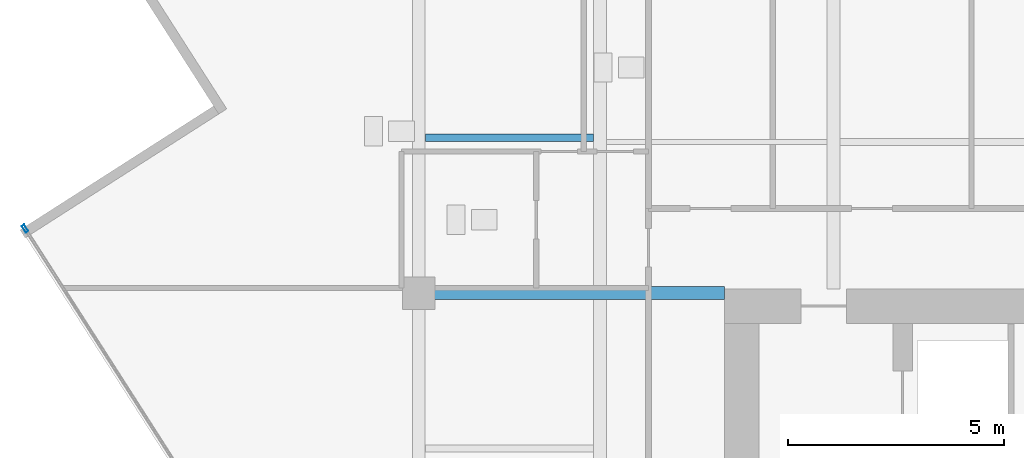
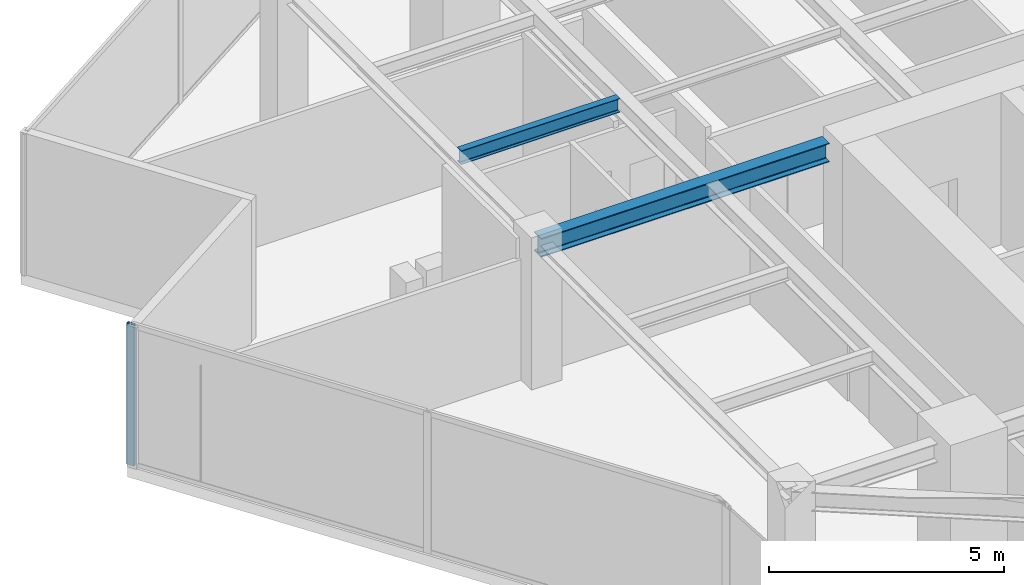
# One storey, part 6 of 20: 2 beams, 1 member, 1 element without a shape of its own.
"""IFC4 building model written with IfcOpenShell, lengths in metres."""

import ifcopenshell
import ifcopenshell.guid

model = None  # the IFC model being written
_history = None  # IfcOwnerHistory: only IFC2X3 demands one
_inside = {}  # id of a spatial element -> (the spatial element, [elements in it])
_under = {}  # id of a project, library or spatial element -> (it, [spatial elements below it])
_declared = {}  # id of a project -> (the project, [libraries it declares])
_typed = {}  # id of a type object -> (the type object, [elements of that type])
_made_of = {}  # id of a material, layer set ... -> (it, [elements and type objects made of it])


def new_model(schema):
    """Start an empty IFC model of exactly this schema.

    Asked for "IFC4X3", IfcOpenShell would pick the latest addendum, in which some entities
    have other attributes; the version numbers below select the first issue.
    IFC2X3 requires an IfcOwnerHistory on every rooted entity: one is made here for all.
    """
    global model, _history
    if schema == "IFC4X3":
        model = ifcopenshell.file(schema_version=(4, 3, 0, 0))
    else:
        model = ifcopenshell.file(schema=schema)
    _inside.clear()
    _under.clear()
    _declared.clear()
    _typed.clear()
    _made_of.clear()
    _history = None
    if model.schema == "IFC2X3":
        org = make("IfcOrganization", Name="unknown")
        user = make(
            "IfcPersonAndOrganization",
            ThePerson=make("IfcPerson", FamilyName="unknown"),
            TheOrganization=org,
        )
        app = make(
            "IfcApplication",
            ApplicationDeveloper=org,
            Version="unknown",
            ApplicationFullName="unknown",
            ApplicationIdentifier="unknown",
        )
        _history = make(
            "IfcOwnerHistory",
            OwningUser=user,
            OwningApplication=app,
            ChangeAction="ADDED",
            CreationDate=0,
        )
    return model


def make(cls, **values):
    """One entity of the class cls with the attributes given. An attribute that is None is left unset."""
    return model.create_entity(
        cls, **{name: value for name, value in values.items() if value is not None}
    )


def rooted(cls, **values):
    """An entity with a GlobalId (a new one), such as an element, a storey or a relation."""
    return make(cls, GlobalId=ifcopenshell.guid.new(), OwnerHistory=_history, **values)


def si_unit(unit_type, name, prefix=None):
    """IfcSIUnit, for example si_unit("LENGTHUNIT", "METRE", prefix="MILLI")."""
    return make("IfcSIUnit", UnitType=unit_type, Prefix=prefix, Name=name)


def assignment(units):
    """IfcUnitAssignment: the units of a project."""
    return None if units is None else make("IfcUnitAssignment", Units=units)


def point(xyz):
    """IfcCartesianPoint."""
    return None if xyz is None else make("IfcCartesianPoint", Coordinates=xyz)


def direction(xyz):
    """IfcDirection."""
    return None if xyz is None else make("IfcDirection", DirectionRatios=xyz)


def frame(location, z_axis=None, x_axis=None):
    """IfcAxis2Placement3D, a coordinate frame: its origin and axes. An axis left out is left unset."""
    return make(
        "IfcAxis2Placement3D",
        Location=point(location),
        Axis=direction(z_axis),
        RefDirection=direction(x_axis),
    )


def frame_2d(location, x_axis=None):
    """IfcAxis2Placement2D, a coordinate frame in the plane: its origin and x axis."""
    return make(
        "IfcAxis2Placement2D", Location=point(location), RefDirection=direction(x_axis)
    )


def origin():
    """The frame at (0, 0, 0) with its axes left unset."""
    return frame((0.0, 0.0, 0.0))


def origin_2d():
    """The frame at (0, 0) in the plane with its x axis left unset."""
    return frame_2d((0.0, 0.0))


def place(relative_to, where):
    """IfcLocalPlacement: puts the frame where relative to a parent placement (None: the world)."""
    return make(
        "IfcLocalPlacement", PlacementRelTo=relative_to, RelativePlacement=where
    )


def context(
    kind, dimensions, precision=None, world=None, true_north=None, identifier=None
):
    """IfcGeometricRepresentationContext, for example the 3D "Model" context."""
    return make(
        "IfcGeometricRepresentationContext",
        ContextIdentifier=identifier,
        ContextType=kind,
        CoordinateSpaceDimension=dimensions,
        Precision=precision,
        WorldCoordinateSystem=world,
        TrueNorth=true_north,
    )


def subcontext(parent, identifier, kind, view, scale=None):
    """IfcGeometricRepresentationSubContext, for example "Body" below "Model"."""
    return make(
        "IfcGeometricRepresentationSubContext",
        ContextIdentifier=identifier,
        ContextType=kind,
        ParentContext=parent,
        TargetScale=scale,
        TargetView=view,
    )


def project(units=None, contexts=None):
    """IfcProject with its units and contexts."""
    return rooted(
        "IfcProject",
        Name="project",
        RepresentationContexts=contexts,
        UnitsInContext=assignment(units),
    )


def spatial(cls, under=None, at=None, **own):
    """A site, building, storey or space (cls), placed at a placement, below another one or the project."""
    s = rooted(cls, ObjectPlacement=at, **own)
    if under is not None:
        _under.setdefault(under.id(), (under, []))[1].append(s)
    return s


def profile(cls, at=None, kind="AREA", **sizes):
    """A parametric profile (cls). Its sizes go by their IFC names, for example OverallWidth=200.0."""
    return make(cls, ProfileType=kind, Position=at, **sizes)


def hollow_rectangle(**sizes):
    """IfcRectangleHollowProfileDef."""
    return profile("IfcRectangleHollowProfileDef", **sizes)


def i_section(**sizes):
    """IfcIShapeProfileDef."""
    return profile("IfcIShapeProfileDef", **sizes)


def extrude(swept, where, along, depth):
    """IfcExtrudedAreaSolid: the profile swept, set in the frame where, extruded along a direction by depth."""
    return make(
        "IfcExtrudedAreaSolid",
        SweptArea=swept,
        Position=where,
        ExtrudedDirection=direction(along),
        Depth=depth,
    )


def shape(context_of_items, identifier, shape_type, items):
    """IfcShapeRepresentation: the items that make up one representation, for example the "Body"."""
    return make(
        "IfcShapeRepresentation",
        ContextOfItems=context_of_items,
        RepresentationIdentifier=identifier,
        RepresentationType=shape_type,
        Items=items,
    )


def source(mapping_origin, context_of_items, identifier, shape_type, items):
    """IfcRepresentationMap: a shape defined once, which mapped items show again and again."""
    return make(
        "IfcRepresentationMap",
        MappingOrigin=mapping_origin,
        MappedRepresentation=shape(context_of_items, identifier, shape_type, items),
    )


def transform(
    local_origin,
    x_axis=None,
    y_axis=None,
    z_axis=None,
    scale=None,
    scale2=None,
    scale3=None,
    uniform=True,
):
    """IfcCartesianTransformationOperator3D, or its non-uniform kind. x_axis, y_axis, z_axis: its Axis1, 2, 3."""
    if uniform:
        return make(
            "IfcCartesianTransformationOperator3D",
            Axis1=direction(x_axis),
            Axis2=direction(y_axis),
            LocalOrigin=point(local_origin),
            Scale=scale,
            Axis3=direction(z_axis),
        )
    return make(
        "IfcCartesianTransformationOperator3DnonUniform",
        Axis1=direction(x_axis),
        Axis2=direction(y_axis),
        LocalOrigin=point(local_origin),
        Scale=scale,
        Axis3=direction(z_axis),
        Scale2=scale2,
        Scale3=scale3,
    )


def mapped(mapping_source, mapping_target):
    """IfcMappedItem: shows the shape of a source again, moved by a transform."""
    return make(
        "IfcMappedItem", MappingSource=mapping_source, MappingTarget=mapping_target
    )


def material(Name=None, Category=None):
    """IfcMaterial."""
    return make("IfcMaterial", Name=Name, Category=Category)


def material_profile(
    of_material, cross_section, Name=None, Category=None, Priority=None
):
    """IfcMaterialProfile: a cross section and its material."""
    return make(
        "IfcMaterialProfile",
        Name=Name,
        Material=of_material,
        Profile=cross_section,
        Priority=Priority,
        Category=Category,
    )


def profile_set(profiles, Name=None, composite=None):
    """IfcMaterialProfileSet."""
    return make(
        "IfcMaterialProfileSet",
        Name=Name,
        MaterialProfiles=profiles,
        CompositeProfile=composite,
    )


def made_of(thing, what):
    """Note that an element or type object is made of a material, layer set ...; save() writes the relation."""
    if what is not None:
        _made_of.setdefault(what.id(), (what, []))[1].append(thing)
    return thing


def type_object(cls, material=None, **own):
    """A type object (cls), such as IfcWallType, which elements share."""
    return made_of(rooted(cls, **own), material)


def type_shapes(of_type, sources):
    """Give a type object the sources (RepresentationMaps) that its elements show as mapped items."""
    of_type.RepresentationMaps = sources


def element(
    cls,
    number,
    at=None,
    inside=None,
    cuts=None,
    type_object=None,
    material=None,
    context=None,
    identifier="Body",
    shape_type=None,
    held_by="IfcProductDefinitionShape",
    body=None,
    shapes=None,
    **own,
):
    """One element of the class cls, such as IfcWall. Its Tag is "e" and its number.

    at: its placement. inside: the storey or other place that contains it. cuts: it is an
    opening in that element (IfcRelVoidsElement). A single representation is given by context,
    identifier, shape_type and body (its items); several are given by shapes. held_by: the class
    of the entity that holds the representations. save() writes the other relations.
    """
    e = rooted(cls, Tag="e%d" % number, ObjectPlacement=at, **own)
    if body is not None:
        shapes = [shape(context, identifier, shape_type, body)]
    if shapes is not None:
        e.Representation = make(held_by, Representations=shapes)
    if inside is not None:
        _inside.setdefault(inside.id(), (inside, []))[1].append(e)
    if cuts is not None:
        rooted(
            "IfcRelVoidsElement", RelatingBuildingElement=cuts, RelatedOpeningElement=e
        )
    if type_object is not None:
        _typed.setdefault(type_object.id(), (type_object, []))[1].append(e)
    return made_of(e, material)


def aggregate(whole, parts):
    """IfcRelAggregates: a whole, such as a stair, and the parts it consists of."""
    return rooted("IfcRelAggregates", RelatingObject=whole, RelatedObjects=parts)


def save(model, path):
    """Write the relations noted so far, then the file.

    IfcRelAggregates (storeys below a building ...), IfcRelContainedInSpatialStructure (elements
    in a storey), IfcRelDefinesByType, IfcRelAssociatesMaterial and IfcRelDeclares: one each for
    every whole, place, type object, material and project.
    """
    for whole, parts in _under.values():
        aggregate(whole, parts)
    for where, things in _inside.values():
        rooted(
            "IfcRelContainedInSpatialStructure",
            RelatedElements=things,
            RelatingStructure=where,
        )
    for kind, things in _typed.values():
        rooted("IfcRelDefinesByType", RelatedObjects=things, RelatingType=kind)
    for what, things in _made_of.values():
        rooted("IfcRelAssociatesMaterial", RelatedObjects=things, RelatingMaterial=what)
    for by, libraries in _declared.values():
        rooted("IfcRelDeclares", RelatingContext=by, RelatedDefinitions=libraries)
    model.write(path)


model = new_model("IFC4")

# Units and contexts
model_context = context("Model", 3, precision=1e-05, world=origin(), true_north=direction((0.0, 1.0)))
body_context = subcontext(model_context, "Body", "Model", "MODEL_VIEW")
ifc_project = project(units=[si_unit("LENGTHUNIT", "METRE"), si_unit("AREAUNIT", "SQUARE_METRE"), si_unit("VOLUMEUNIT", "CUBIC_METRE"), si_unit("PLANEANGLEUNIT", "RADIAN"), si_unit("MASSUNIT", "GRAM", prefix="KILO")], contexts=[model_context])

# Site, building, storey
site_placement = place(None, origin())
site = spatial("IfcSite", under=ifc_project, at=site_placement, CompositionType="ELEMENT")
building_placement = place(site_placement, origin())
building = spatial("IfcBuilding", under=site, at=building_placement, Name="Krantzveldt Concourse Tower", CompositionType="ELEMENT")
storey_placement = place(building_placement, frame((0.0, 0.0, 283.199951171875)))
storey = spatial("IfcBuildingStorey", under=building, at=storey_placement, Name="L69", CompositionType="ELEMENT", Elevation=283.199951171875)

# Beams
ifc_material_1 = material(Name="Steel S355JR", Category="steel")
ifc_material_profile_1 = material_profile(ifc_material_1, i_section(OverallWidth=0.300048828125, OverallDepth=0.489990234375, WebThickness=0.011962890625, FlangeThickness=0.02294921875, FilletRadius=0.027099609375, at=origin_2d()), Name="Steel S355JR", Category="steel")
ifc_profile_set_1 = profile_set([ifc_material_profile_1], Name="Steel S355JR - HEA 500")
beam_type_1 = type_object("IfcBeamType", Name="BM-B-HEA500", PredefinedType="BEAM", material=ifc_profile_set_1)
shared_shape_1 = source(origin(), body_context, "Body", "SweptSolid", [
    extrude(i_section(OverallWidth=0.300048828125, OverallDepth=0.489990234375, WebThickness=0.011962890625, FlangeThickness=0.02294921875, FilletRadius=0.027099609375, at=origin_2d()), origin(), (0.0, 0.0, 1.0), 7.080078125),
])
type_shapes(beam_type_1, [shared_shape_1])
beam_1_placement = place(storey_placement, frame((21.0, 26.699951171875, 3.425048828125), z_axis=(1.0, 0.0, 0.0), x_axis=(0.0, 1.0, 0.0)))
element("IfcBeam", 1, at=beam_1_placement, inside=storey, type_object=beam_type_1, Name="L69 Tower Girder BG-CW2", PredefinedType="BEAM", context=body_context, shape_type="MappedRepresentation", body=[
    mapped(shared_shape_1, transform((0.0, 0.0, 0.0), x_axis=(1.0, 0.0, 0.0), y_axis=(0.0, 1.0, 0.0), z_axis=(0.0, 0.0, 1.0), scale=1.0)),
])
ifc_material_profile_2 = material_profile(ifc_material_1, i_section(OverallWidth=0.169921875, OverallDepth=0.360107421875, WebThickness=0.008056640625, FlangeThickness=0.0126953125, FilletRadius=0.01806640625, at=origin_2d()), Name="Steel S355JR", Category="steel")
ifc_profile_set_2 = profile_set([ifc_material_profile_2], Name="Steel S355JR - IPE 360")
beam_type_2 = type_object("IfcBeamType", Name="BM-J-IPE360", PredefinedType="JOIST", material=ifc_profile_set_2)
shared_shape_2 = source(origin(), body_context, "Body", "SweptSolid", [
    extrude(i_section(OverallWidth=0.169921875, OverallDepth=0.360107421875, WebThickness=0.008056640625, FlangeThickness=0.0126953125, FilletRadius=0.01806640625, at=origin_2d()), origin(), (0.0, 0.0, 1.0), 3.900146484375),
])
type_shapes(beam_type_2, [shared_shape_2])
beam_2_placement = place(storey_placement, frame((21.14990234375, 30.300048828125, 3.489990234375), z_axis=(1.0, 0.0, 0.0), x_axis=(0.0, 1.0, 0.0)))
element("IfcBeam", 2, at=beam_2_placement, inside=storey, type_object=beam_type_2, Name="L69 Secondary Floor Joist JW-3", PredefinedType="JOIST", context=body_context, shape_type="MappedRepresentation", body=[
    mapped(shared_shape_2, transform((0.0, 0.0, 0.0), x_axis=(1.0, 0.0, 0.0), y_axis=(0.0, 1.0, 0.0), z_axis=(0.0, 0.0, 1.0), scale=1.0)),
])

# Curtain wall, member
ifc_material_2 = material(Name="Anodised aluminium 6063-T6", Category="aluminium")
curtain_wall_type = type_object("IfcCurtainWallType", Name="CW4", PredefinedType="USERDEFINED", material=ifc_material_2)
curtain_wall_placement = place(storey_placement, origin())
curtain_wall = element("IfcCurtainWall", 3, at=curtain_wall_placement, inside=storey, type_object=curtain_wall_type, Name="CW-L69-F04", ObjectType="UNITISED CURTAIN WALL", PredefinedType="USERDEFINED")
ifc_material_profile_3 = material_profile(ifc_material_2, hollow_rectangle(XDim=0.070068359375, YDim=0.179931640625, WallThickness=0.0048828125, at=origin_2d()), Name="Anodised aluminium 6063-T6", Category="aluminium")
ifc_profile_set_3 = profile_set([ifc_material_profile_3], Name="Anodised aluminium 6063-T6 - ALU-MULL 180x70x5")
member_type = type_object("IfcMemberType", Name="CW-MUL-180", PredefinedType="MULLION", material=ifc_profile_set_3)
shared_shape_3 = source(origin(), body_context, "Body", "SweptSolid", [
    extrude(hollow_rectangle(XDim=0.070068359375, YDim=0.179931640625, WallThickness=0.0048828125, at=origin_2d()), origin(), (0.0, 0.0, 1.0), 3.670166015625),
])
type_shapes(member_type, [shared_shape_3])
member_placement = place(storey_placement, frame((11.87744140625, 28.195556640625, 0.0), z_axis=(0.0, 0.0, 1.0), x_axis=(0.842217243088, 0.53913830827, 0.0)))
member = element("IfcMember", 4, at=member_placement, type_object=member_type, Name="CW-Z56 mullion 1", PredefinedType="MULLION", context=body_context, shape_type="MappedRepresentation", body=[
    mapped(shared_shape_3, transform((0.0, 0.0, 0.0), x_axis=(1.0, 0.0, 0.0), y_axis=(0.0, 1.0, 0.0), z_axis=(0.0, 0.0, 1.0), scale=1.0)),
])
aggregate(curtain_wall, [member])

save(model, "model.ifc")
